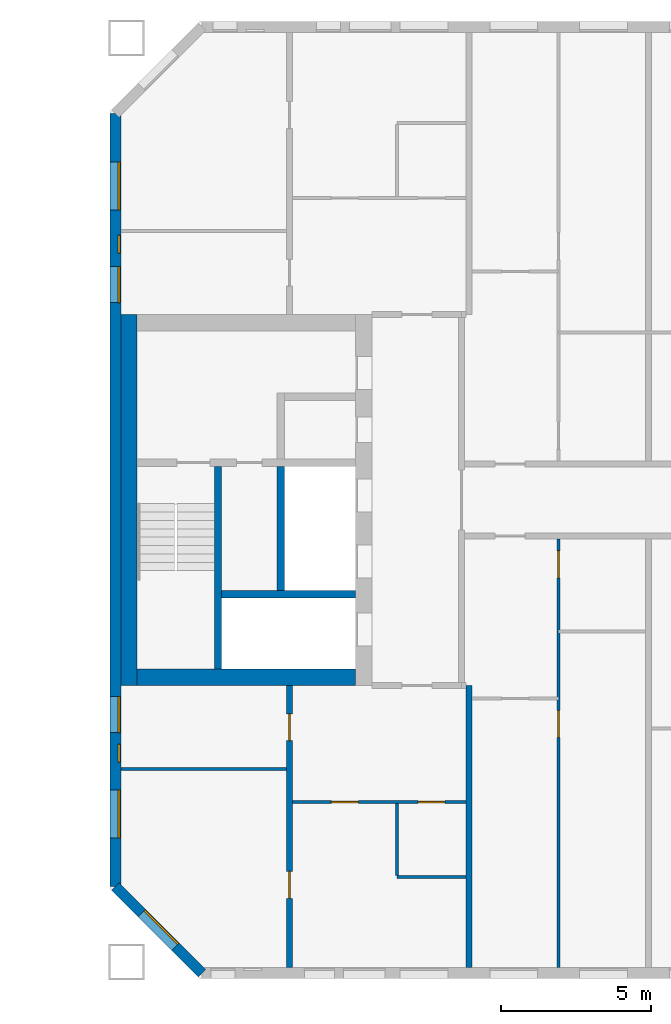
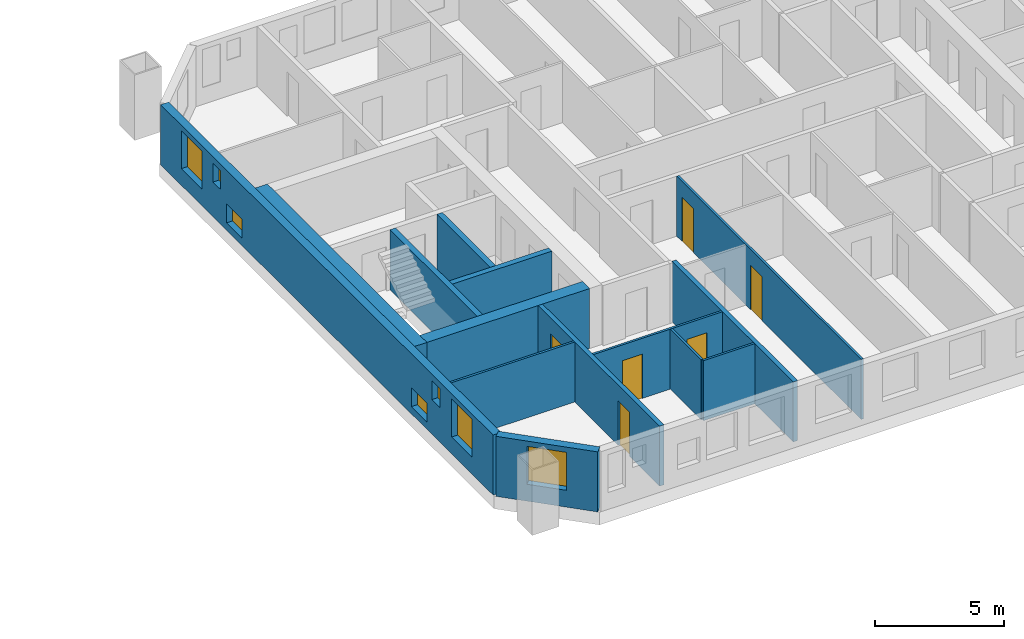
# One storey, part 9 of 17: 14 walls, 7 windows, 6 doors, 13 openings.
"""IFC4 building model written with IfcOpenShell, lengths in metres."""

from ifc_helpers import new_model, si_unit, direction, frame, frame_2d, origin, place, context, subcontext, project, spatial, rectangle, extrude, material, layer, layer_set, type_object, element, fill, save


model = new_model("IFC4")

# Units and contexts
model_context = context("Model", 3, precision=1e-05, world=origin(), true_north=direction((0.0, 1.0)))
body_context = subcontext(model_context, "Body", "Model", "MODEL_VIEW")
ifc_project = project(units=[si_unit("LENGTHUNIT", "METRE"), si_unit("AREAUNIT", "SQUARE_METRE"), si_unit("VOLUMEUNIT", "CUBIC_METRE"), si_unit("PLANEANGLEUNIT", "RADIAN"), si_unit("MASSUNIT", "GRAM", prefix="KILO")], contexts=[model_context])

# Site, building, storey
site_placement = place(None, origin())
site = spatial("IfcSite", under=ifc_project, at=site_placement, CompositionType="ELEMENT")
building_placement = place(site_placement, origin())
building = spatial("IfcBuilding", under=site, at=building_placement, Name="Tuart Gate Housing", CompositionType="ELEMENT")
storey_placement = place(building_placement, frame((0.0, 0.0, 123.699951171875)))
storey = spatial("IfcBuildingStorey", under=building, at=storey_placement, Name="L34", CompositionType="ELEMENT", Elevation=123.699951171875)

# Wall, opening, window
ifc_material_1 = material(Name="Brick", Category="masonry")
ifc_layer_1 = layer(ifc_material_1, 0.360107421875)
ifc_layer_set_1 = layer_set([ifc_layer_1], Name="Brick pier and spandrel wall 360")
wall_type_1 = type_object("IfcWallType", Name="Brick pier and spandrel wall 360", PredefinedType="STANDARD", material=ifc_layer_set_1)
wall_1_placement = place(storey_placement, frame((131.179931640625, 57.07470703125, 0.0), z_axis=(0.0, 0.0, 1.0), x_axis=(0.707106781187, -0.707106781187, 0.0)))
wall_1 = element("IfcWall", 1, at=wall_1_placement, inside=storey, type_object=wall_type_1, Name="External wall B-SW L34", PredefinedType="STANDARD", context=body_context, shape_type="SweptSolid", body=[
    extrude(rectangle(XDim=4.09375, YDim=0.360107421875, at=frame_2d((2.046875, 0.0))), origin(), (0.0, 0.0, 1.0), 2.85009765625),
])
opening_1_placement = place(wall_1_placement, frame((1.2470703125, 0.0, 0.800048828125)))
opening_1 = element("IfcOpeningElement", 2, at=opening_1_placement, cuts=wall_1, Name="Opening W1", PredefinedType="OPENING", context=body_context, shape_type="SweptSolid", body=[
    extrude(rectangle(XDim=1.60009765625, YDim=1.800048828125, at=frame_2d((0.800048828125, 0.89990234375))), frame((0.0, 0.18994140625, 0.0), z_axis=(0.0, -1.0, 0.0), x_axis=(1.0, 0.0, 0.0)), (0.0, 0.0, 1.0), 0.380126953125),
])
ifc_material_2 = material(Name="Aluminium frame with clear glass", Category="aluminium")
window_type_1 = type_object("IfcWindowType", Name="Punched window 1600 x 1800", PartitioningType="SINGLE_PANEL", PredefinedType="WINDOW", material=ifc_material_2)
window_1_placement = place(opening_1_placement, origin())
window_1 = element("IfcWindow", 3, at=window_1_placement, inside=storey, type_object=window_type_1, Name="Window W1", OverallHeight=1.800048828125, OverallWidth=1.60009765625, PartitioningType="SINGLE_PANEL", PredefinedType="WINDOW", context=body_context, shape_type="SweptSolid", body=[
    extrude(rectangle(XDim=1.60009765625, YDim=1.800048828125, at=frame_2d((0.800048828125, 0.89990234375))), frame((0.0, 0.150146484375, 0.0), z_axis=(0.0, -1.0, 0.0), x_axis=(1.0, 0.0, 0.0)), (0.0, 0.0, 1.0), 0.06005859375),
])
fill(opening_1, window_1)

# Wall, openings, windows
wall_2_placement = place(storey_placement, frame((131.179931640625, 82.92529296875, 0.0), z_axis=(0.0, 0.0, 1.0), x_axis=(0.0, -1.0, 0.0)))
wall_2 = element("IfcWall", 4, at=wall_2_placement, inside=storey, type_object=wall_type_1, Name="External wall B-W L34", PredefinedType="STANDARD", context=body_context, shape_type="SweptSolid", body=[
    extrude(rectangle(XDim=25.850830078125, YDim=0.360107421875, at=frame_2d((12.92529296875, 0.0))), origin(), (0.0, 0.0, 1.0), 2.85009765625),
])
opening_2_placement = place(wall_2_placement, frame((1.62548828125, 0.0, 0.800048828125)))
opening_2 = element("IfcOpeningElement", 5, at=opening_2_placement, cuts=wall_2, Name="Opening W1", PredefinedType="OPENING", context=body_context, shape_type="SweptSolid", body=[
    extrude(rectangle(XDim=1.60009765625, YDim=1.800048828125, at=frame_2d((0.800048828125, 0.89990234375))), frame((0.0, 0.18994140625, 0.0), z_axis=(0.0, -1.0, 0.0), x_axis=(1.0, 0.0, 0.0)), (0.0, 0.0, 1.0), 0.380126953125),
])
opening_3_placement = place(wall_2_placement, frame((4.075439453125, 0.0, 1.64990234375)))
opening_3 = element("IfcOpeningElement", 6, at=opening_3_placement, cuts=wall_2, Name="Opening W1W", PredefinedType="OPENING", context=body_context, shape_type="SweptSolid", body=[
    extrude(rectangle(XDim=0.60009765625, YDim=0.89990234375, at=frame_2d((0.300048828125, 0.449951171875))), frame((0.0, 0.18994140625, 0.0), z_axis=(0.0, -1.0, 0.0), x_axis=(1.0, 0.0, 0.0)), (0.0, 0.0, 1.0), 0.380126953125),
])
opening_4_placement = place(wall_2_placement, frame((19.50048828125, 0.0, 0.35009765625)))
opening_4 = element("IfcOpeningElement", 7, at=opening_4_placement, cuts=wall_2, Name="Opening W1T", PredefinedType="OPENING", context=body_context, shape_type="SweptSolid", body=[
    extrude(rectangle(XDim=1.199951171875, YDim=0.89990234375, at=frame_2d((0.60009765625, 0.449951171875))), frame((0.0, 0.18994140625, 0.0), z_axis=(0.0, -1.0, 0.0), x_axis=(1.0, 0.0, 0.0)), (0.0, 0.0, 1.0), 0.380126953125),
])
opening_5_placement = place(wall_2_placement, frame((22.62548828125, 0.0, 0.800048828125)))
opening_5 = element("IfcOpeningElement", 8, at=opening_5_placement, cuts=wall_2, Name="Opening W1", PredefinedType="OPENING", context=body_context, shape_type="SweptSolid", body=[
    extrude(rectangle(XDim=1.60009765625, YDim=1.800048828125, at=frame_2d((0.800048828125, 0.89990234375))), frame((0.0, 0.18994140625, 0.0), z_axis=(0.0, -1.0, 0.0), x_axis=(1.0, 0.0, 0.0)), (0.0, 0.0, 1.0), 0.380126953125),
])
opening_6_placement = place(wall_2_placement, frame((5.12548828125, 0.0, 0.35009765625)))
opening_6 = element("IfcOpeningElement", 9, at=opening_6_placement, cuts=wall_2, Name="Opening W1T", PredefinedType="OPENING", context=body_context, shape_type="SweptSolid", body=[
    extrude(rectangle(XDim=1.199951171875, YDim=0.89990234375, at=frame_2d((0.60009765625, 0.449951171875))), frame((0.0, 0.18994140625, 0.0), z_axis=(0.0, -1.0, 0.0), x_axis=(1.0, 0.0, 0.0)), (0.0, 0.0, 1.0), 0.380126953125),
])
opening_7_placement = place(wall_2_placement, frame((21.100341796875, 0.0, 1.64990234375)))
opening_7 = element("IfcOpeningElement", 10, at=opening_7_placement, cuts=wall_2, Name="Opening W1W", PredefinedType="OPENING", context=body_context, shape_type="SweptSolid", body=[
    extrude(rectangle(XDim=0.60009765625, YDim=0.89990234375, at=frame_2d((0.300048828125, 0.449951171875))), frame((0.0, 0.18994140625, 0.0), z_axis=(0.0, -1.0, 0.0), x_axis=(1.0, 0.0, 0.0)), (0.0, 0.0, 1.0), 0.380126953125),
])
ifc_material_3 = material(Name="Aluminium frame with clear glass", Category="aluminium")
window_type_2 = type_object("IfcWindowType", Name="Punched window 1200 x 900", PartitioningType="SINGLE_PANEL", PredefinedType="WINDOW", material=ifc_material_3)
window_2_placement = place(opening_4_placement, origin())
window_2 = element("IfcWindow", 11, at=window_2_placement, inside=storey, type_object=window_type_2, Name="Window W1T", OverallHeight=0.89990234375, OverallWidth=1.199951171875, PartitioningType="SINGLE_PANEL", PredefinedType="WINDOW", context=body_context, shape_type="SweptSolid", body=[
    extrude(rectangle(XDim=1.199951171875, YDim=0.89990234375, at=frame_2d((0.60009765625, 0.449951171875))), frame((0.0, 0.150146484375, 0.0), z_axis=(0.0, -1.0, 0.0), x_axis=(1.0, 0.0, 0.0)), (0.0, 0.0, 1.0), 0.06005859375),
])
fill(opening_4, window_2)
window_3_placement = place(opening_6_placement, origin())
window_3 = element("IfcWindow", 12, at=window_3_placement, inside=storey, type_object=window_type_2, Name="Window W1T", OverallHeight=0.89990234375, OverallWidth=1.199951171875, PartitioningType="SINGLE_PANEL", PredefinedType="WINDOW", context=body_context, shape_type="SweptSolid", body=[
    extrude(rectangle(XDim=1.199951171875, YDim=0.89990234375, at=frame_2d((0.60009765625, 0.449951171875))), frame((0.0, 0.150146484375, 0.0), z_axis=(0.0, -1.0, 0.0), x_axis=(1.0, 0.0, 0.0)), (0.0, 0.0, 1.0), 0.06005859375),
])
fill(opening_6, window_3)
window_4_placement = place(opening_2_placement, origin())
window_4 = element("IfcWindow", 13, at=window_4_placement, inside=storey, type_object=window_type_1, Name="Window W1", OverallHeight=1.800048828125, OverallWidth=1.60009765625, PartitioningType="SINGLE_PANEL", PredefinedType="WINDOW", context=body_context, shape_type="SweptSolid", body=[
    extrude(rectangle(XDim=1.60009765625, YDim=1.800048828125, at=frame_2d((0.800048828125, 0.89990234375))), frame((0.0, 0.150146484375, 0.0), z_axis=(0.0, -1.0, 0.0), x_axis=(1.0, 0.0, 0.0)), (0.0, 0.0, 1.0), 0.06005859375),
])
fill(opening_2, window_4)
window_5_placement = place(opening_5_placement, origin())
window_5 = element("IfcWindow", 14, at=window_5_placement, inside=storey, type_object=window_type_1, Name="Window W1", OverallHeight=1.800048828125, OverallWidth=1.60009765625, PartitioningType="SINGLE_PANEL", PredefinedType="WINDOW", context=body_context, shape_type="SweptSolid", body=[
    extrude(rectangle(XDim=1.60009765625, YDim=1.800048828125, at=frame_2d((0.800048828125, 0.89990234375))), frame((0.0, 0.150146484375, 0.0), z_axis=(0.0, -1.0, 0.0), x_axis=(1.0, 0.0, 0.0)), (0.0, 0.0, 1.0), 0.06005859375),
])
fill(opening_5, window_5)
ifc_material_4 = material(Name="Aluminium frame with clear glass", Category="aluminium")
window_type_3 = type_object("IfcWindowType", Name="Punched window 600 x 900", PartitioningType="SINGLE_PANEL", PredefinedType="WINDOW", material=ifc_material_4)
window_6_placement = place(opening_3_placement, origin())
window_6 = element("IfcWindow", 15, at=window_6_placement, inside=storey, type_object=window_type_3, Name="Window W1W", OverallHeight=0.89990234375, OverallWidth=0.60009765625, PartitioningType="SINGLE_PANEL", PredefinedType="WINDOW", context=body_context, shape_type="SweptSolid", body=[
    extrude(rectangle(XDim=0.60009765625, YDim=0.89990234375, at=frame_2d((0.300048828125, 0.449951171875))), frame((0.0, 0.150146484375, 0.0), z_axis=(0.0, -1.0, 0.0), x_axis=(1.0, 0.0, 0.0)), (0.0, 0.0, 1.0), 0.06005859375),
])
fill(opening_3, window_6)
window_7_placement = place(opening_7_placement, origin())
window_7 = element("IfcWindow", 16, at=window_7_placement, inside=storey, type_object=window_type_3, Name="Window W1W", OverallHeight=0.89990234375, OverallWidth=0.60009765625, PartitioningType="SINGLE_PANEL", PredefinedType="WINDOW", context=body_context, shape_type="SweptSolid", body=[
    extrude(rectangle(XDim=0.60009765625, YDim=0.89990234375, at=frame_2d((0.300048828125, 0.449951171875))), frame((0.0, 0.150146484375, 0.0), z_axis=(0.0, -1.0, 0.0), x_axis=(1.0, 0.0, 0.0)), (0.0, 0.0, 1.0), 0.06005859375),
])
fill(opening_7, window_7)

# Walls
ifc_material_5 = material(Name="Concrete C50", Category="concrete")
ifc_layer_2 = layer(ifc_material_5, 0.25)
ifc_layer_set_2 = layer_set([ifc_layer_2], Name="Core wall 250 C50")
wall_type_2 = type_object("IfcWallType", Name="Core wall 250 C50", PredefinedType="SHEAR", material=ifc_layer_set_2)
wall_3_placement = place(storey_placement, frame((139.2099609375, 66.85009765625, 0.0), z_axis=(0.0, 0.0, 1.0), x_axis=(-1.0, 0.0, 0.0)))
element("IfcWall", 17, at=wall_3_placement, inside=storey, type_object=wall_type_2, Name="Core wall BG.1", PredefinedType="SHEAR", context=body_context, shape_type="SweptSolid", body=[
    extrude(rectangle(XDim=4.474853515625, YDim=0.25, at=frame_2d((2.2373046875, 0.0))), origin(), (0.0, 0.0, 1.0), 2.85009765625),
])
wall_4_placement = place(storey_placement, frame((136.7099609375, 66.97509765625, 0.0), z_axis=(0.0, 0.0, 1.0), x_axis=(0.0, 1.0, 0.0)))
element("IfcWall", 18, at=wall_4_placement, inside=storey, type_object=wall_type_2, Name="Core wall BG.4", PredefinedType="SHEAR", context=body_context, shape_type="SweptSolid", body=[
    extrude(rectangle(XDim=4.14990234375, YDim=0.25, at=frame_2d((2.074951171875, 0.0))), origin(), (0.0, 0.0, 1.0), 2.85009765625),
])
wall_5_placement = place(storey_placement, frame((134.610107421875, 64.35009765625, 0.0), z_axis=(0.0, 0.0, 1.0), x_axis=(0.0, 1.0, 0.0)))
element("IfcWall", 19, at=wall_5_placement, inside=storey, type_object=wall_type_2, Name="Core wall BG.6", PredefinedType="SHEAR", context=body_context, shape_type="SweptSolid", body=[
    extrude(rectangle(XDim=6.77490234375, YDim=0.25, at=frame_2d((3.387451171875, 0.0))), origin(), (0.0, 0.0, 1.0), 2.85009765625),
])
ifc_material_6 = material(Name="Concrete C50", Category="concrete")
ifc_layer_3 = layer(ifc_material_6, 0.550048828125)
ifc_layer_set_3 = layer_set([ifc_layer_3], Name="Core wall 550 C50")
wall_type_3 = type_object("IfcWallType", Name="Core wall 550 C50", PredefinedType="SHEAR", material=ifc_layer_set_3)
wall_6_placement = place(storey_placement, frame((131.635009765625, 63.800048828125, 0.0), z_axis=(0.0, 0.0, 1.0), x_axis=(0.0, 1.0, 0.0)))
element("IfcWall", 20, at=wall_6_placement, inside=storey, type_object=wall_type_3, Name="Core wall BG back", PredefinedType="SHEAR", context=body_context, shape_type="SweptSolid", body=[
    extrude(rectangle(XDim=12.39990234375, YDim=0.550048828125, at=frame_2d((6.199951171875, 0.0))), origin(), (0.0, 0.0, 1.0), 2.85009765625),
])
wall_7_placement = place(storey_placement, frame((139.2099609375, 64.074951171875, 0.0), z_axis=(0.0, 0.0, 1.0), x_axis=(-1.0, 0.0, 0.0)))
element("IfcWall", 21, at=wall_7_placement, inside=storey, type_object=wall_type_3, Name="Core wall BG south", PredefinedType="SHEAR", context=body_context, shape_type="SweptSolid", body=[
    extrude(rectangle(XDim=7.300048828125, YDim=0.550048828125, at=frame_2d((3.64990234375, 0.0))), origin(), (0.0, 0.0, 1.0), 2.85009765625),
])
ifc_material_7 = material(Name="Gypsum board on steel studs", Category="steel")
ifc_layer_4 = layer(ifc_material_7, 0.10009765625)
ifc_layer_set_4 = layer_set([ifc_layer_4], Name="Partition 100")
wall_type_4 = type_object("IfcWallType", Name="Partition 100", PredefinedType="PARTITIONING", material=ifc_layer_set_4)
wall_8_placement = place(storey_placement, frame((140.60009765625, 57.39990234375, 0.0), z_axis=(0.0, 0.0, 1.0), x_axis=(1.0, 0.0, 0.0)))
element("IfcWall", 22, at=wall_8_placement, inside=storey, type_object=wall_type_4, Name="Partition 100", PredefinedType="PARTITIONING", context=body_context, shape_type="SweptSolid", body=[
    extrude(rectangle(XDim=2.2998046875, YDim=0.10009765625, at=frame_2d((1.14990234375, 0.0))), origin(), (0.0, 0.0, 1.0), 2.85009765625),
])

# Wall, openings, doors
wall_9_placement = place(storey_placement, frame((137.10009765625, 59.89990234375, 0.0), z_axis=(0.0, 0.0, 1.0), x_axis=(1.0, 0.0, 0.0)))
wall_9 = element("IfcWall", 23, at=wall_9_placement, inside=storey, type_object=wall_type_4, Name="Partition 100", PredefinedType="PARTITIONING", context=body_context, shape_type="SweptSolid", body=[
    extrude(rectangle(XDim=5.7998046875, YDim=0.10009765625, at=frame_2d((2.89990234375, 0.0))), origin(), (0.0, 0.0, 1.0), 2.85009765625),
])
opening_8_placement = place(wall_9_placement, frame((1.300048828125, 0.0, 0.0)))
opening_8 = element("IfcOpeningElement", 24, at=opening_8_placement, cuts=wall_9, Name="Opening D1396", PredefinedType="OPENING", context=body_context, shape_type="SweptSolid", body=[
    extrude(rectangle(XDim=0.89990234375, YDim=2.10009765625, at=frame_2d((0.449951171875, 1.050048828125))), frame((0.0, 0.06005859375, 0.0), z_axis=(0.0, -1.0, 0.0), x_axis=(1.0, 0.0, 0.0)), (0.0, 0.0, 1.0), 0.1201171875),
])
opening_9_placement = place(wall_9_placement, frame((4.199951171875, 0.0, 0.0)))
opening_9 = element("IfcOpeningElement", 25, at=opening_9_placement, cuts=wall_9, Name="Opening D1395", PredefinedType="OPENING", context=body_context, shape_type="SweptSolid", body=[
    extrude(rectangle(XDim=0.89990234375, YDim=2.10009765625, at=frame_2d((0.449951171875, 1.050048828125))), frame((0.0, 0.06005859375, 0.0), z_axis=(0.0, -1.0, 0.0), x_axis=(1.0, 0.0, 0.0)), (0.0, 0.0, 1.0), 0.1201171875),
])
ifc_material_8 = material(Name="Timber door leaf in steel frame", Category="steel")
door_type_1 = type_object("IfcDoorType", Name="Bathroom door 900 RH", OperationType="SINGLE_SWING_RIGHT", PredefinedType="DOOR", material=ifc_material_8)
door_1_placement = place(opening_9_placement, frame((0.89990234375, 0.0, 0.0), z_axis=(0.0, 0.0, 1.0), x_axis=(-1.0, 0.0, 0.0)))
door_1 = element("IfcDoor", 26, at=door_1_placement, inside=storey, type_object=door_type_1, Name="Bathroom door", OperationType="SINGLE_SWING_RIGHT", OverallHeight=2.10009765625, OverallWidth=0.89990234375, PredefinedType="DOOR", context=body_context, shape_type="SweptSolid", body=[
    extrude(rectangle(XDim=0.89990234375, YDim=2.10009765625, at=frame_2d((0.449951171875, 1.050048828125))), frame((0.0, 0.025146484375, 0.0), z_axis=(0.0, -1.0, 0.0), x_axis=(1.0, 0.0, 0.0)), (0.0, 0.0, 1.0), 0.050048828125),
])
fill(opening_9, door_1)
ifc_material_9 = material(Name="Timber door leaf in steel frame", Category="steel")
door_type_2 = type_object("IfcDoorType", Name="Internal door 900", OperationType="SINGLE_SWING_LEFT", PredefinedType="DOOR", material=ifc_material_9)
door_2_placement = place(opening_8_placement, origin())
door_2 = element("IfcDoor", 27, at=door_2_placement, inside=storey, type_object=door_type_2, Name="Internal door", OperationType="SINGLE_SWING_LEFT", OverallHeight=2.10009765625, OverallWidth=0.89990234375, PredefinedType="DOOR", context=body_context, shape_type="SweptSolid", body=[
    extrude(rectangle(XDim=0.89990234375, YDim=2.10009765625, at=frame_2d((0.449951171875, 1.050048828125))), frame((0.0, 0.02490234375, 0.0), z_axis=(0.0, -1.0, 0.0), x_axis=(1.0, 0.0, 0.0)), (0.0, 0.0, 1.0), 0.050048828125),
])
fill(opening_8, door_2)

# Walls
wall_10_placement = place(storey_placement, frame((131.360107421875, 61.0, 0.0), z_axis=(0.0, 0.0, 1.0), x_axis=(1.0, 0.0, 0.0)))
element("IfcWall", 28, at=wall_10_placement, inside=storey, type_object=wall_type_4, Name="Partition 100", PredefinedType="PARTITIONING", context=body_context, shape_type="SweptSolid", body=[
    extrude(rectangle(XDim=5.539794921875, YDim=0.10009765625, at=frame_2d((2.77001953125, 0.0))), origin(), (0.0, 0.0, 1.0), 2.85009765625),
])
wall_11_placement = place(storey_placement, frame((140.60009765625, 57.449951171875, 0.0), z_axis=(0.0, 0.0, 1.0), x_axis=(0.0, 1.0, 0.0)))
element("IfcWall", 29, at=wall_11_placement, inside=storey, type_object=wall_type_4, Name="Partition 100", PredefinedType="PARTITIONING", context=body_context, shape_type="SweptSolid", body=[
    extrude(rectangle(XDim=2.400146484375, YDim=0.10009765625, at=frame_2d((1.2001953125, 0.0))), origin(), (0.0, 0.0, 1.0), 2.85009765625),
])

# Wall, openings, doors
wall_12_placement = place(storey_placement, frame((146.0, 54.360107421875, 0.0), z_axis=(0.0, 0.0, 1.0), x_axis=(0.0, 1.0, 0.0)))
wall_12 = element("IfcWall", 30, at=wall_12_placement, inside=storey, type_object=wall_type_4, Name="Partition 100", PredefinedType="PARTITIONING", context=body_context, shape_type="SweptSolid", body=[
    extrude(rectangle(XDim=14.33984375, YDim=0.10009765625, at=frame_2d((7.169921875, 0.0))), origin(), (0.0, 0.0, 1.0), 2.85009765625),
])
opening_10_placement = place(wall_12_placement, frame((7.699951171875, 0.0, 0.0)))
opening_10 = element("IfcOpeningElement", 31, at=opening_10_placement, cuts=wall_12, Name="Opening D1390", PredefinedType="OPENING", context=body_context, shape_type="SweptSolid", body=[
    extrude(rectangle(XDim=0.89990234375, YDim=2.10009765625, at=frame_2d((0.449951171875, 1.050048828125))), frame((0.0, 0.06005859375, 0.0), z_axis=(0.0, -1.0, 0.0), x_axis=(1.0, 0.0, 0.0)), (0.0, 0.0, 1.0), 0.1201171875),
])
opening_11_placement = place(wall_12_placement, frame((13.0400390625, 0.0, 0.0)))
opening_11 = element("IfcOpeningElement", 32, at=opening_11_placement, cuts=wall_12, Name="Opening D1389", PredefinedType="OPENING", context=body_context, shape_type="SweptSolid", body=[
    extrude(rectangle(XDim=0.89990234375, YDim=2.10009765625, at=frame_2d((0.449951171875, 1.050048828125))), frame((0.0, 0.06005859375, 0.0), z_axis=(0.0, -1.0, 0.0), x_axis=(1.0, 0.0, 0.0)), (0.0, 0.0, 1.0), 0.1201171875),
])
ifc_material_10 = material(Name="Timber door leaf in steel frame", Category="steel")
door_type_3 = type_object("IfcDoorType", Name="Bathroom door 900", OperationType="SINGLE_SWING_LEFT", PredefinedType="DOOR", material=ifc_material_10)
door_3_placement = place(opening_11_placement, frame((0.89990234375, 0.0, 0.0), z_axis=(0.0, 0.0, 1.0), x_axis=(-1.0, 0.0, 0.0)))
door_3 = element("IfcDoor", 33, at=door_3_placement, inside=storey, type_object=door_type_3, Name="Bathroom door", OperationType="SINGLE_SWING_LEFT", OverallHeight=2.10009765625, OverallWidth=0.89990234375, PredefinedType="DOOR", context=body_context, shape_type="SweptSolid", body=[
    extrude(rectangle(XDim=0.89990234375, YDim=2.10009765625, at=frame_2d((0.449951171875, 1.050048828125))), frame((0.0, 0.025146484375, 0.0), z_axis=(0.0, -1.0, 0.0), x_axis=(1.0, 0.0, 0.0)), (0.0, 0.0, 1.0), 0.050048828125),
])
fill(opening_11, door_3)
door_4_placement = place(opening_10_placement, frame((0.89990234375, 0.0, 0.0), z_axis=(0.0, 0.0, 1.0), x_axis=(-1.0, 0.0, 0.0)))
door_4 = element("IfcDoor", 34, at=door_4_placement, inside=storey, type_object=door_type_2, Name="Internal door", OperationType="SINGLE_SWING_LEFT", OverallHeight=2.10009765625, OverallWidth=0.89990234375, PredefinedType="DOOR", context=body_context, shape_type="SweptSolid", body=[
    extrude(rectangle(XDim=0.89990234375, YDim=2.10009765625, at=frame_2d((0.449951171875, 1.050048828125))), frame((0.0, 0.025146484375, 0.0), z_axis=(0.0, -1.0, 0.0), x_axis=(1.0, 0.0, 0.0)), (0.0, 0.0, 1.0), 0.050048828125),
])
fill(opening_10, door_4)

ifc_material_11 = material(Name="Concrete C40", Category="concrete")
ifc_layer_5 = layer(ifc_material_11, 0.199951171875)
ifc_layer_set_5 = layer_set([ifc_layer_5], Name="Party wall concrete C40 200")
wall_type_5 = type_object("IfcWallType", Name="Party wall concrete C40 200", PredefinedType="SOLIDWALL", material=ifc_layer_set_5)
wall_13_placement = place(storey_placement, frame((137.0, 54.360107421875, 0.0), z_axis=(0.0, 0.0, 1.0), x_axis=(0.0, 1.0, 0.0)))
wall_13 = element("IfcWall", 35, at=wall_13_placement, inside=storey, type_object=wall_type_5, Name="Party wall concrete C40 200", PredefinedType="SOLIDWALL", context=body_context, shape_type="SweptSolid", body=[
    extrude(rectangle(XDim=9.43994140625, YDim=0.199951171875, at=frame_2d((4.719970703125, 0.0))), origin(), (0.0, 0.0, 1.0), 2.85009765625),
])
opening_12_placement = place(wall_13_placement, frame((2.320068359375, 0.0, 0.0)))
opening_12 = element("IfcOpeningElement", 36, at=opening_12_placement, cuts=wall_13, Name="Opening D1398", PredefinedType="OPENING", context=body_context, shape_type="SweptSolid", body=[
    extrude(rectangle(XDim=0.89990234375, YDim=2.10009765625, at=frame_2d((0.449951171875, 1.050048828125))), frame((0.0, 0.10986328125, 0.0), z_axis=(0.0, -1.0, 0.0), x_axis=(1.0, 0.0, 0.0)), (0.0, 0.0, 1.0), 0.219970703125),
])
opening_13_placement = place(wall_13_placement, frame((7.590087890625, 0.0, 0.0)))
opening_13 = element("IfcOpeningElement", 37, at=opening_13_placement, cuts=wall_13, Name="Opening D1399", PredefinedType="OPENING", context=body_context, shape_type="SweptSolid", body=[
    extrude(rectangle(XDim=0.89990234375, YDim=2.10009765625, at=frame_2d((0.449951171875, 1.050048828125))), frame((0.0, 0.10986328125, 0.0), z_axis=(0.0, -1.0, 0.0), x_axis=(1.0, 0.0, 0.0)), (0.0, 0.0, 1.0), 0.219970703125),
])
door_5_placement = place(opening_12_placement, origin())
door_5 = element("IfcDoor", 38, at=door_5_placement, inside=storey, type_object=door_type_2, Name="Internal door", OperationType="SINGLE_SWING_LEFT", OverallHeight=2.10009765625, OverallWidth=0.89990234375, PredefinedType="DOOR", context=body_context, shape_type="SweptSolid", body=[
    extrude(rectangle(XDim=0.89990234375, YDim=2.10009765625, at=frame_2d((0.449951171875, 1.050048828125))), frame((0.0, 0.02490234375, 0.0), z_axis=(0.0, -1.0, 0.0), x_axis=(1.0, 0.0, 0.0)), (0.0, 0.0, 1.0), 0.050048828125),
])
fill(opening_12, door_5)
door_6_placement = place(opening_13_placement, origin())
door_6 = element("IfcDoor", 39, at=door_6_placement, inside=storey, type_object=door_type_2, Name="Internal door", OperationType="SINGLE_SWING_LEFT", OverallHeight=2.10009765625, OverallWidth=0.89990234375, PredefinedType="DOOR", context=body_context, shape_type="SweptSolid", body=[
    extrude(rectangle(XDim=0.89990234375, YDim=2.10009765625, at=frame_2d((0.449951171875, 1.050048828125))), frame((0.0, 0.02490234375, 0.0), z_axis=(0.0, -1.0, 0.0), x_axis=(1.0, 0.0, 0.0)), (0.0, 0.0, 1.0), 0.050048828125),
])
fill(opening_13, door_6)

# Wall
wall_14_placement = place(storey_placement, frame((143.0, 54.360107421875, 0.0), z_axis=(0.0, 0.0, 1.0), x_axis=(0.0, 1.0, 0.0)))
element("IfcWall", 40, at=wall_14_placement, inside=storey, type_object=wall_type_5, Name="Party wall concrete C40 200", PredefinedType="SOLIDWALL", context=body_context, shape_type="SweptSolid", body=[
    extrude(rectangle(XDim=9.43994140625, YDim=0.199951171875, at=frame_2d((4.719970703125, 0.0))), origin(), (0.0, 0.0, 1.0), 2.85009765625),
])

save(model, "model.ifc")
